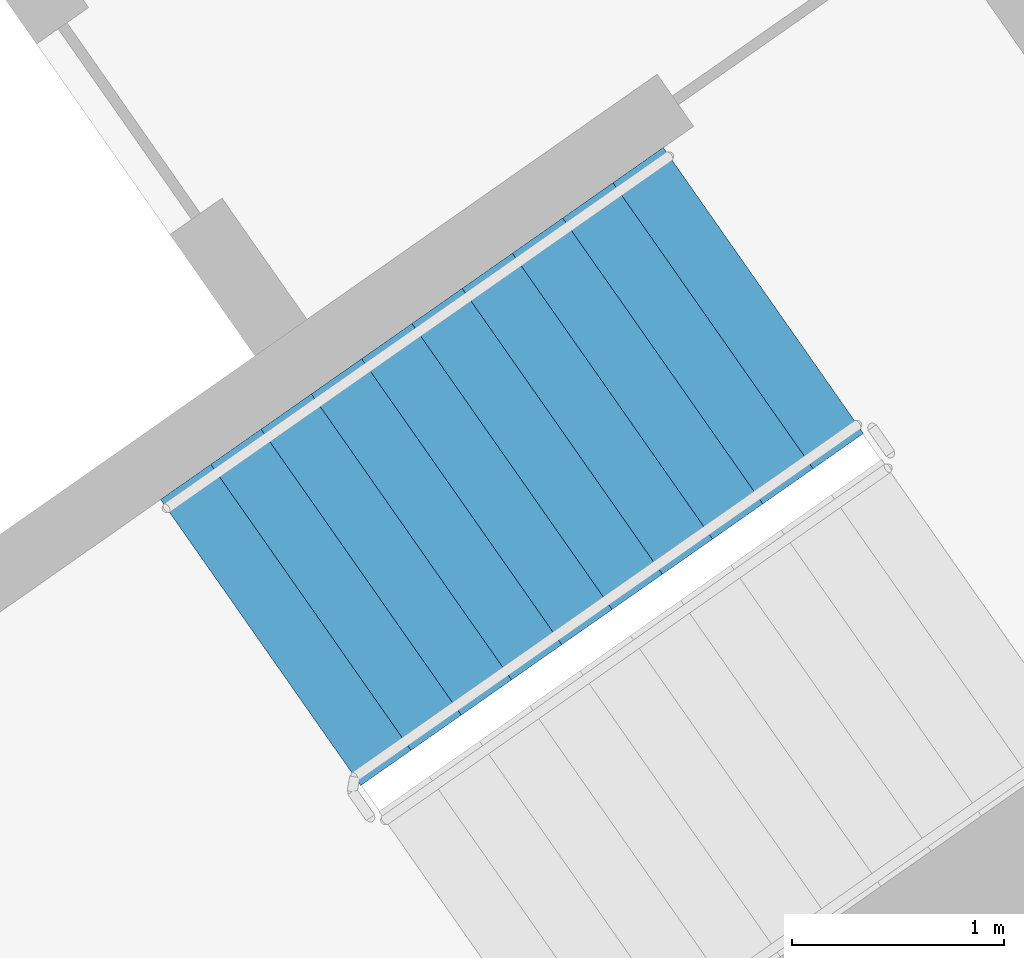
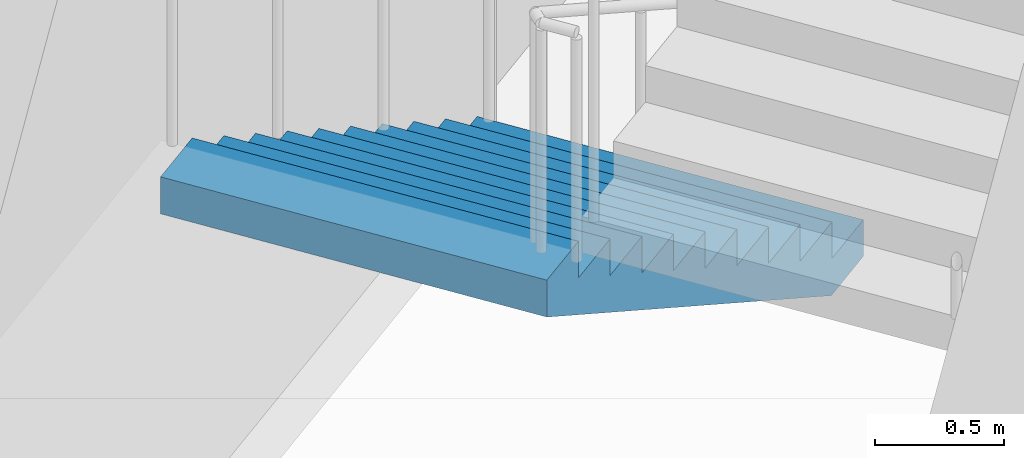
# One storey, part 17 of 30: 1 stair flight, 1 element without a shape of its own.
"""IFC4 building model written with IfcOpenShell, lengths in metres."""

from ifc_helpers import new_model, si_unit, direction, frame, origin, place, context, subcontext, project, spatial, faceted_brep, material, type_object, element, aggregate, save


model = new_model("IFC4")

# Units and contexts
model_context = context("Model", 3, precision=1e-05, world=origin(), true_north=direction((0.0, 1.0)))
body_context = subcontext(model_context, "Body", "Model", "MODEL_VIEW")
ifc_project = project(units=[si_unit("LENGTHUNIT", "METRE"), si_unit("AREAUNIT", "SQUARE_METRE"), si_unit("VOLUMEUNIT", "CUBIC_METRE"), si_unit("PLANEANGLEUNIT", "RADIAN"), si_unit("MASSUNIT", "GRAM", prefix="KILO")], contexts=[model_context])

# Site, building, storey
site_placement = place(None, origin())
site = spatial("IfcSite", under=ifc_project, at=site_placement, CompositionType="ELEMENT")
building_placement = place(site_placement, origin())
building = spatial("IfcBuilding", under=site, at=building_placement, Name="Qamariyya Broadcast Tower", CompositionType="ELEMENT")
storey_placement = place(building_placement, frame((0.0, 0.0, 117.699951171875)))
storey = spatial("IfcBuildingStorey", under=building, at=storey_placement, Name="L26", CompositionType="ELEMENT", Elevation=117.699951171875)

# Stair, stair flight
ifc_material = material(Name="Concrete C50/60", Category="concrete")
stair_type = type_object("IfcStairType", Name="Exit stair 22 risers of 173 mm", PredefinedType="HALF_TURN_STAIR", material=ifc_material)
stair_placement = place(storey_placement, origin())
stair = element("IfcStair", 1, at=stair_placement, inside=storey, type_object=stair_type, Name="L26 Stair E1", PredefinedType="HALF_TURN_STAIR")
stair_flight_type = type_object("IfcStairFlightType", Name="Exit stair flight 11 risers of 173 mm", PredefinedType="STRAIGHT", material=ifc_material)
stair_flight_placement = place(storey_placement, frame((46.036376953125, -55.508056640625, 0.0), z_axis=(0.0, 0.0, 1.0), x_axis=(-0.819152044289, -0.573576436351, 0.0)))
stair_flight = element("IfcStairFlight", 2, at=stair_flight_placement, type_object=stair_flight_type, Name="ST-E1 flight 1", NumberOfRisers=11, NumberOfTreads=10, PredefinedType="STRAIGHT", RiserHeight=0.172727273, TreadLength=0.29, context=body_context, shape_type="Brep", body=[
    faceted_brep([(0.0, 0.824951171875, 0.0), (0.0, 0.824951171875, 0.172607421875), (0.2900390625, 0.824951171875, 0.172607421875), (0.2900390625, 0.824951171875, 0.345458984375), (0.580078125, 0.824951171875, 0.345458984375), (0.580078125, 0.824951171875, 0.51806640625), (0.8701171875, 0.824951171875, 0.51806640625), (0.8701171875, 0.824951171875, 0.69091796875), (1.159912109375, 0.824951171875, 0.69091796875), (1.159912109375, 0.824951171875, 0.863525390625), (1.449951171875, 0.824951171875, 0.863525390625), (1.449951171875, 0.824951171875, 1.036376953125), (1.739990234375, 0.824951171875, 1.036376953125), (1.739990234375, 0.824951171875, 1.208984375), (2.030029296875, 0.824951171875, 1.208984375), (2.030029296875, 0.824951171875, 1.3818359375), (2.320068359375, 0.824951171875, 1.3818359375), (2.320068359375, 0.824951171875, 1.554443359375), (2.610107421875, 0.824951171875, 1.554443359375), (2.610107421875, 0.824951171875, 1.727294921875), (2.89990234375, 0.824951171875, 1.727294921875), (2.89990234375, 0.824951171875, 1.552734375), (0.29296875, 0.824951171875, 0.0), (0.29296875, -0.824951171875, 0.0), (2.89990234375, -0.824951171875, 1.552734375), (2.89990234375, -0.824951171875, 1.727294921875), (2.610107421875, -0.824951171875, 1.727294921875), (2.610107421875, -0.824951171875, 1.554443359375), (2.320068359375, -0.824951171875, 1.554443359375), (2.320068359375, -0.824951171875, 1.3818359375), (2.030029296875, -0.824951171875, 1.3818359375), (2.030029296875, -0.824951171875, 1.208984375), (1.739990234375, -0.824951171875, 1.208984375), (1.739990234375, -0.824951171875, 1.036376953125), (1.449951171875, -0.824951171875, 1.036376953125), (1.449951171875, -0.824951171875, 0.863525390625), (1.159912109375, -0.824951171875, 0.863525390625), (1.159912109375, -0.824951171875, 0.69091796875), (0.8701171875, -0.824951171875, 0.69091796875), (0.8701171875, -0.824951171875, 0.51806640625), (0.580078125, -0.824951171875, 0.51806640625), (0.580078125, -0.824951171875, 0.345458984375), (0.2900390625, -0.824951171875, 0.345458984375), (0.2900390625, -0.824951171875, 0.172607421875), (0.0, -0.824951171875, 0.172607421875), (0.0, -0.824951171875, 0.0), (0.0, 0.10009765625, 0.0), (0.0, 0.086669921875, 0.0), (0.0, 0.0732421875, 0.0), (0.0, 0.06005859375, 0.0), (0.0, 0.046630859375, 0.0), (0.0, 0.033447265625, 0.0), (0.0, 0.02001953125, 0.0), (0.0, 0.006591796875, 0.0), (0.0, -0.006591796875, 0.0), (0.0, -0.02001953125, 0.0), (0.0, -0.033447265625, 0.0), (0.0, -0.046630859375, 0.0), (0.0, -0.06005859375, 0.0), (0.0, -0.0732421875, 0.0), (0.0, -0.086669921875, 0.0), (0.0, -0.10009765625, 0.0), (0.0, -0.10009765625, 0.172607421875), (0.0, -0.086669921875, 0.172607421875), (0.0, -0.0732421875, 0.172607421875), (0.0, -0.06005859375, 0.172607421875), (0.0, -0.046630859375, 0.172607421875), (0.0, -0.033447265625, 0.172607421875), (0.0, -0.02001953125, 0.172607421875), (0.0, -0.006591796875, 0.172607421875), (0.0, 0.006591796875, 0.172607421875), (0.0, 0.02001953125, 0.172607421875), (0.0, 0.033447265625, 0.172607421875), (0.0, 0.046630859375, 0.172607421875), (0.0, 0.06005859375, 0.172607421875), (0.0, 0.0732421875, 0.172607421875), (0.0, 0.086669921875, 0.172607421875), (0.0, 0.10009765625, 0.172607421875), (0.2900390625, -0.10009765625, 0.172607421875), (0.2900390625, -0.086669921875, 0.172607421875), (0.2900390625, -0.0732421875, 0.172607421875), (0.2900390625, -0.06005859375, 0.172607421875), (0.2900390625, -0.046630859375, 0.172607421875), (0.2900390625, -0.033447265625, 0.172607421875), (0.2900390625, -0.02001953125, 0.172607421875), (0.2900390625, -0.006591796875, 0.172607421875), (0.2900390625, 0.006591796875, 0.172607421875), (0.2900390625, 0.02001953125, 0.172607421875), (0.2900390625, 0.033447265625, 0.172607421875), (0.2900390625, 0.046630859375, 0.172607421875), (0.2900390625, 0.06005859375, 0.172607421875), (0.2900390625, 0.0732421875, 0.172607421875), (0.2900390625, 0.086669921875, 0.172607421875), (0.2900390625, 0.10009765625, 0.172607421875), (0.2900390625, -0.10009765625, 0.345458984375), (0.2900390625, -0.086669921875, 0.345458984375), (0.2900390625, -0.0732421875, 0.345458984375), (0.2900390625, -0.06005859375, 0.345458984375), (0.2900390625, -0.046630859375, 0.345458984375), (0.2900390625, -0.033447265625, 0.345458984375), (0.2900390625, -0.02001953125, 0.345458984375), (0.2900390625, -0.006591796875, 0.345458984375), (0.2900390625, 0.006591796875, 0.345458984375), (0.2900390625, 0.02001953125, 0.345458984375), (0.2900390625, 0.033447265625, 0.345458984375), (0.2900390625, 0.046630859375, 0.345458984375), (0.2900390625, 0.06005859375, 0.345458984375), (0.2900390625, 0.0732421875, 0.345458984375), (0.2900390625, 0.086669921875, 0.345458984375), (0.2900390625, 0.10009765625, 0.345458984375), (0.580078125, -0.10009765625, 0.345458984375), (0.580078125, -0.086669921875, 0.345458984375), (0.580078125, -0.0732421875, 0.345458984375), (0.580078125, -0.06005859375, 0.345458984375), (0.580078125, -0.046630859375, 0.345458984375), (0.580078125, -0.033447265625, 0.345458984375), (0.580078125, -0.02001953125, 0.345458984375), (0.580078125, -0.006591796875, 0.345458984375), (0.580078125, 0.006591796875, 0.345458984375), (0.580078125, 0.02001953125, 0.345458984375), (0.580078125, 0.033447265625, 0.345458984375), (0.580078125, 0.046630859375, 0.345458984375), (0.580078125, 0.06005859375, 0.345458984375), (0.580078125, 0.0732421875, 0.345458984375), (0.580078125, 0.086669921875, 0.345458984375), (0.580078125, 0.10009765625, 0.345458984375), (0.580078125, -0.10009765625, 0.51806640625), (0.580078125, -0.086669921875, 0.51806640625), (0.580078125, -0.0732421875, 0.51806640625), (0.580078125, -0.06005859375, 0.51806640625), (0.580078125, -0.046630859375, 0.51806640625), (0.580078125, -0.033447265625, 0.51806640625), (0.580078125, -0.02001953125, 0.51806640625), (0.580078125, -0.006591796875, 0.51806640625), (0.580078125, 0.006591796875, 0.51806640625), (0.580078125, 0.02001953125, 0.51806640625), (0.580078125, 0.033447265625, 0.51806640625), (0.580078125, 0.046630859375, 0.51806640625), (0.580078125, 0.06005859375, 0.51806640625), (0.580078125, 0.0732421875, 0.51806640625), (0.580078125, 0.086669921875, 0.51806640625), (0.580078125, 0.10009765625, 0.51806640625), (0.8701171875, -0.10009765625, 0.51806640625), (0.8701171875, -0.086669921875, 0.51806640625), (0.8701171875, -0.0732421875, 0.51806640625), (0.8701171875, -0.06005859375, 0.51806640625), (0.8701171875, -0.046630859375, 0.51806640625), (0.8701171875, -0.033447265625, 0.51806640625), (0.8701171875, -0.02001953125, 0.51806640625), (0.8701171875, -0.006591796875, 0.51806640625), (0.8701171875, 0.006591796875, 0.51806640625), (0.8701171875, 0.02001953125, 0.51806640625), (0.8701171875, 0.033447265625, 0.51806640625), (0.8701171875, 0.046630859375, 0.51806640625), (0.8701171875, 0.06005859375, 0.51806640625), (0.8701171875, 0.0732421875, 0.51806640625), (0.8701171875, 0.086669921875, 0.51806640625), (0.8701171875, 0.10009765625, 0.51806640625), (0.8701171875, -0.10009765625, 0.69091796875), (0.8701171875, -0.086669921875, 0.69091796875), (0.8701171875, -0.0732421875, 0.69091796875), (0.8701171875, -0.06005859375, 0.69091796875), (0.8701171875, -0.046630859375, 0.69091796875), (0.8701171875, -0.033447265625, 0.69091796875), (0.8701171875, -0.02001953125, 0.69091796875), (0.8701171875, -0.006591796875, 0.69091796875), (0.8701171875, 0.006591796875, 0.69091796875), (0.8701171875, 0.02001953125, 0.69091796875), (0.8701171875, 0.033447265625, 0.69091796875), (0.8701171875, 0.046630859375, 0.69091796875), (0.8701171875, 0.06005859375, 0.69091796875), (0.8701171875, 0.0732421875, 0.69091796875), (0.8701171875, 0.086669921875, 0.69091796875), (0.8701171875, 0.10009765625, 0.69091796875), (1.159912109375, -0.10009765625, 0.69091796875), (1.159912109375, -0.086669921875, 0.69091796875), (1.159912109375, -0.0732421875, 0.69091796875), (1.159912109375, -0.06005859375, 0.69091796875), (1.159912109375, -0.046630859375, 0.69091796875), (1.159912109375, -0.033447265625, 0.69091796875), (1.159912109375, -0.02001953125, 0.69091796875), (1.159912109375, -0.006591796875, 0.69091796875), (1.159912109375, 0.006591796875, 0.69091796875), (1.159912109375, 0.02001953125, 0.69091796875), (1.159912109375, 0.033447265625, 0.69091796875), (1.159912109375, 0.046630859375, 0.69091796875), (1.159912109375, 0.06005859375, 0.69091796875), (1.159912109375, 0.0732421875, 0.69091796875), (1.159912109375, 0.086669921875, 0.69091796875), (1.159912109375, 0.10009765625, 0.69091796875), (1.159912109375, -0.10009765625, 0.863525390625), (1.159912109375, -0.086669921875, 0.863525390625), (1.159912109375, -0.0732421875, 0.863525390625), (1.159912109375, -0.06005859375, 0.863525390625), (1.159912109375, -0.046630859375, 0.863525390625), (1.159912109375, -0.033447265625, 0.863525390625), (1.159912109375, -0.02001953125, 0.863525390625), (1.159912109375, -0.006591796875, 0.863525390625), (1.159912109375, 0.006591796875, 0.863525390625), (1.159912109375, 0.02001953125, 0.863525390625), (1.159912109375, 0.033447265625, 0.863525390625), (1.159912109375, 0.046630859375, 0.863525390625), (1.159912109375, 0.06005859375, 0.863525390625), (1.159912109375, 0.0732421875, 0.863525390625), (1.159912109375, 0.086669921875, 0.863525390625), (1.159912109375, 0.10009765625, 0.863525390625), (1.449951171875, -0.10009765625, 0.863525390625), (1.449951171875, -0.086669921875, 0.863525390625), (1.449951171875, -0.0732421875, 0.863525390625), (1.449951171875, -0.06005859375, 0.863525390625), (1.449951171875, -0.046630859375, 0.863525390625), (1.449951171875, -0.033447265625, 0.863525390625), (1.449951171875, -0.02001953125, 0.863525390625), (1.449951171875, -0.006591796875, 0.863525390625), (1.449951171875, 0.006591796875, 0.863525390625), (1.449951171875, 0.02001953125, 0.863525390625), (1.449951171875, 0.033447265625, 0.863525390625), (1.449951171875, 0.046630859375, 0.863525390625), (1.449951171875, 0.06005859375, 0.863525390625), (1.449951171875, 0.0732421875, 0.863525390625), (1.449951171875, 0.086669921875, 0.863525390625), (1.449951171875, 0.10009765625, 0.863525390625), (1.449951171875, -0.10009765625, 1.036376953125), (1.449951171875, -0.086669921875, 1.036376953125), (1.449951171875, -0.0732421875, 1.036376953125), (1.449951171875, -0.06005859375, 1.036376953125), (1.449951171875, -0.046630859375, 1.036376953125), (1.449951171875, -0.033447265625, 1.036376953125), (1.449951171875, -0.02001953125, 1.036376953125), (1.449951171875, -0.006591796875, 1.036376953125), (1.449951171875, 0.006591796875, 1.036376953125), (1.449951171875, 0.02001953125, 1.036376953125), (1.449951171875, 0.033447265625, 1.036376953125), (1.449951171875, 0.046630859375, 1.036376953125), (1.449951171875, 0.06005859375, 1.036376953125), (1.449951171875, 0.0732421875, 1.036376953125), (1.449951171875, 0.086669921875, 1.036376953125), (1.449951171875, 0.10009765625, 1.036376953125), (1.739990234375, -0.10009765625, 1.036376953125), (1.739990234375, -0.086669921875, 1.036376953125), (1.739990234375, -0.0732421875, 1.036376953125), (1.739990234375, -0.06005859375, 1.036376953125), (1.739990234375, -0.046630859375, 1.036376953125), (1.739990234375, -0.033447265625, 1.036376953125), (1.739990234375, -0.02001953125, 1.036376953125), (1.739990234375, -0.006591796875, 1.036376953125), (1.739990234375, 0.006591796875, 1.036376953125), (1.739990234375, 0.02001953125, 1.036376953125), (1.739990234375, 0.033447265625, 1.036376953125), (1.739990234375, 0.046630859375, 1.036376953125), (1.739990234375, 0.06005859375, 1.036376953125), (1.739990234375, 0.0732421875, 1.036376953125), (1.739990234375, 0.086669921875, 1.036376953125), (1.739990234375, 0.10009765625, 1.036376953125), (1.739990234375, -0.10009765625, 1.208984375), (1.739990234375, -0.086669921875, 1.208984375), (1.739990234375, -0.0732421875, 1.208984375), (1.739990234375, -0.06005859375, 1.208984375), (1.739990234375, -0.046630859375, 1.208984375), (1.739990234375, -0.033447265625, 1.208984375), (1.739990234375, -0.02001953125, 1.208984375), (1.739990234375, -0.006591796875, 1.208984375), (1.739990234375, 0.006591796875, 1.208984375), (1.739990234375, 0.02001953125, 1.208984375), (1.739990234375, 0.033447265625, 1.208984375), (1.739990234375, 0.046630859375, 1.208984375), (1.739990234375, 0.06005859375, 1.208984375), (1.739990234375, 0.0732421875, 1.208984375), (1.739990234375, 0.086669921875, 1.208984375), (1.739990234375, 0.10009765625, 1.208984375), (2.030029296875, -0.10009765625, 1.208984375), (2.030029296875, -0.086669921875, 1.208984375), (2.030029296875, -0.0732421875, 1.208984375), (2.030029296875, -0.06005859375, 1.208984375), (2.030029296875, -0.046630859375, 1.208984375), (2.030029296875, -0.033447265625, 1.208984375), (2.030029296875, -0.02001953125, 1.208984375), (2.030029296875, -0.006591796875, 1.208984375), (2.030029296875, 0.006591796875, 1.208984375), (2.030029296875, 0.02001953125, 1.208984375), (2.030029296875, 0.033447265625, 1.208984375), (2.030029296875, 0.046630859375, 1.208984375), (2.030029296875, 0.06005859375, 1.208984375), (2.030029296875, 0.0732421875, 1.208984375), (2.030029296875, 0.086669921875, 1.208984375), (2.030029296875, 0.10009765625, 1.208984375), (2.030029296875, -0.10009765625, 1.3818359375), (2.030029296875, -0.086669921875, 1.3818359375), (2.030029296875, -0.0732421875, 1.3818359375), (2.030029296875, -0.06005859375, 1.3818359375), (2.030029296875, -0.046630859375, 1.3818359375), (2.030029296875, -0.033447265625, 1.3818359375), (2.030029296875, -0.02001953125, 1.3818359375), (2.030029296875, -0.006591796875, 1.3818359375), (2.030029296875, 0.006591796875, 1.3818359375), (2.030029296875, 0.02001953125, 1.3818359375), (2.030029296875, 0.033447265625, 1.3818359375), (2.030029296875, 0.046630859375, 1.3818359375), (2.030029296875, 0.06005859375, 1.3818359375), (2.030029296875, 0.0732421875, 1.3818359375), (2.030029296875, 0.086669921875, 1.3818359375), (2.030029296875, 0.10009765625, 1.3818359375), (2.320068359375, -0.10009765625, 1.3818359375), (2.320068359375, -0.086669921875, 1.3818359375), (2.320068359375, -0.0732421875, 1.3818359375), (2.320068359375, -0.06005859375, 1.3818359375), (2.320068359375, -0.046630859375, 1.3818359375), (2.320068359375, -0.033447265625, 1.3818359375), (2.320068359375, -0.02001953125, 1.3818359375), (2.320068359375, -0.006591796875, 1.3818359375), (2.320068359375, 0.006591796875, 1.3818359375), (2.320068359375, 0.02001953125, 1.3818359375), (2.320068359375, 0.033447265625, 1.3818359375), (2.320068359375, 0.046630859375, 1.3818359375), (2.320068359375, 0.06005859375, 1.3818359375), (2.320068359375, 0.0732421875, 1.3818359375), (2.320068359375, 0.086669921875, 1.3818359375), (2.320068359375, 0.10009765625, 1.3818359375), (2.320068359375, -0.10009765625, 1.554443359375), (2.320068359375, -0.086669921875, 1.554443359375), (2.320068359375, -0.0732421875, 1.554443359375), (2.320068359375, -0.06005859375, 1.554443359375), (2.320068359375, -0.046630859375, 1.554443359375), (2.320068359375, -0.033447265625, 1.554443359375), (2.320068359375, -0.02001953125, 1.554443359375), (2.320068359375, -0.006591796875, 1.554443359375), (2.320068359375, 0.006591796875, 1.554443359375), (2.320068359375, 0.02001953125, 1.554443359375), (2.320068359375, 0.033447265625, 1.554443359375), (2.320068359375, 0.046630859375, 1.554443359375), (2.320068359375, 0.06005859375, 1.554443359375), (2.320068359375, 0.0732421875, 1.554443359375), (2.320068359375, 0.086669921875, 1.554443359375), (2.320068359375, 0.10009765625, 1.554443359375), (2.610107421875, -0.10009765625, 1.554443359375), (2.610107421875, -0.086669921875, 1.554443359375), (2.610107421875, -0.0732421875, 1.554443359375), (2.610107421875, -0.06005859375, 1.554443359375), (2.610107421875, -0.046630859375, 1.554443359375), (2.610107421875, -0.033447265625, 1.554443359375), (2.610107421875, -0.02001953125, 1.554443359375), (2.610107421875, -0.006591796875, 1.554443359375), (2.610107421875, 0.006591796875, 1.554443359375), (2.610107421875, 0.02001953125, 1.554443359375), (2.610107421875, 0.033447265625, 1.554443359375), (2.610107421875, 0.046630859375, 1.554443359375), (2.610107421875, 0.06005859375, 1.554443359375), (2.610107421875, 0.0732421875, 1.554443359375), (2.610107421875, 0.086669921875, 1.554443359375), (2.610107421875, 0.10009765625, 1.554443359375), (2.610107421875, -0.10009765625, 1.727294921875), (2.610107421875, -0.086669921875, 1.727294921875), (2.610107421875, -0.0732421875, 1.727294921875), (2.610107421875, -0.06005859375, 1.727294921875), (2.610107421875, -0.046630859375, 1.727294921875), (2.610107421875, -0.033447265625, 1.727294921875), (2.610107421875, -0.02001953125, 1.727294921875), (2.610107421875, -0.006591796875, 1.727294921875), (2.610107421875, 0.006591796875, 1.727294921875), (2.610107421875, 0.02001953125, 1.727294921875), (2.610107421875, 0.033447265625, 1.727294921875), (2.610107421875, 0.046630859375, 1.727294921875), (2.610107421875, 0.06005859375, 1.727294921875), (2.610107421875, 0.0732421875, 1.727294921875), (2.610107421875, 0.086669921875, 1.727294921875), (2.610107421875, 0.10009765625, 1.727294921875), (2.89990234375, -0.10009765625, 1.727294921875), (2.89990234375, -0.086669921875, 1.727294921875), (2.89990234375, -0.0732421875, 1.727294921875), (2.89990234375, -0.06005859375, 1.727294921875), (2.89990234375, -0.046630859375, 1.727294921875), (2.89990234375, -0.033447265625, 1.727294921875), (2.89990234375, -0.02001953125, 1.727294921875), (2.89990234375, -0.006591796875, 1.727294921875), (2.89990234375, 0.006591796875, 1.727294921875), (2.89990234375, 0.02001953125, 1.727294921875), (2.89990234375, 0.033447265625, 1.727294921875), (2.89990234375, 0.046630859375, 1.727294921875), (2.89990234375, 0.06005859375, 1.727294921875), (2.89990234375, 0.0732421875, 1.727294921875), (2.89990234375, 0.086669921875, 1.727294921875), (2.89990234375, 0.10009765625, 1.727294921875), (2.89990234375, -0.10009765625, 1.552734375), (2.89990234375, -0.086669921875, 1.552734375), (2.89990234375, -0.0732421875, 1.552734375), (2.89990234375, -0.06005859375, 1.552734375), (2.89990234375, -0.046630859375, 1.552734375), (2.89990234375, -0.033447265625, 1.552734375), (2.89990234375, -0.02001953125, 1.552734375), (2.89990234375, -0.006591796875, 1.552734375), (2.89990234375, 0.006591796875, 1.552734375), (2.89990234375, 0.02001953125, 1.552734375), (2.89990234375, 0.033447265625, 1.552734375), (2.89990234375, 0.046630859375, 1.552734375), (2.89990234375, 0.06005859375, 1.552734375), (2.89990234375, 0.0732421875, 1.552734375), (2.89990234375, 0.086669921875, 1.552734375), (2.89990234375, 0.10009765625, 1.552734375), (0.29296875, -0.10009765625, 0.0), (0.29296875, -0.086669921875, 0.0), (0.29296875, -0.0732421875, 0.0), (0.29296875, -0.06005859375, 0.0), (0.29296875, -0.046630859375, 0.0), (0.29296875, -0.033447265625, 0.0), (0.29296875, -0.02001953125, 0.0), (0.29296875, -0.006591796875, 0.0), (0.29296875, 0.006591796875, 0.0), (0.29296875, 0.02001953125, 0.0), (0.29296875, 0.033447265625, 0.0), (0.29296875, 0.046630859375, 0.0), (0.29296875, 0.06005859375, 0.0), (0.29296875, 0.0732421875, 0.0), (0.29296875, 0.086669921875, 0.0), (0.29296875, 0.10009765625, 0.0)], [[[0, 1, 2, 3, 4, 5, 6, 7, 8, 9, 10, 11, 12, 13, 14, 15, 16, 17, 18, 19, 20, 21, 22]], [[23, 24, 25, 26, 27, 28, 29, 30, 31, 32, 33, 34, 35, 36, 37, 38, 39, 40, 41, 42, 43, 44, 45]], [[0, 46, 47, 48, 49, 50, 51, 52, 53, 54, 55, 56, 57, 58, 59, 60, 61, 45, 44, 62, 63, 64, 65, 66, 67, 68, 69, 70, 71, 72, 73, 74, 75, 76, 77, 1]], [[1, 77, 76, 75, 74, 73, 72, 71, 70, 69, 68, 67, 66, 65, 64, 63, 62, 44, 43, 78, 79, 80, 81, 82, 83, 84, 85, 86, 87, 88, 89, 90, 91, 92, 93, 2]], [[2, 93, 92, 91, 90, 89, 88, 87, 86, 85, 84, 83, 82, 81, 80, 79, 78, 43, 42, 94, 95, 96, 97, 98, 99, 100, 101, 102, 103, 104, 105, 106, 107, 108, 109, 3]], [[3, 109, 108, 107, 106, 105, 104, 103, 102, 101, 100, 99, 98, 97, 96, 95, 94, 42, 41, 110, 111, 112, 113, 114, 115, 116, 117, 118, 119, 120, 121, 122, 123, 124, 125, 4]], [[4, 125, 124, 123, 122, 121, 120, 119, 118, 117, 116, 115, 114, 113, 112, 111, 110, 41, 40, 126, 127, 128, 129, 130, 131, 132, 133, 134, 135, 136, 137, 138, 139, 140, 141, 5]], [[5, 141, 140, 139, 138, 137, 136, 135, 134, 133, 132, 131, 130, 129, 128, 127, 126, 40, 39, 142, 143, 144, 145, 146, 147, 148, 149, 150, 151, 152, 153, 154, 155, 156, 157, 6]], [[6, 157, 156, 155, 154, 153, 152, 151, 150, 149, 148, 147, 146, 145, 144, 143, 142, 39, 38, 158, 159, 160, 161, 162, 163, 164, 165, 166, 167, 168, 169, 170, 171, 172, 173, 7]], [[7, 173, 172, 171, 170, 169, 168, 167, 166, 165, 164, 163, 162, 161, 160, 159, 158, 38, 37, 174, 175, 176, 177, 178, 179, 180, 181, 182, 183, 184, 185, 186, 187, 188, 189, 8]], [[8, 189, 188, 187, 186, 185, 184, 183, 182, 181, 180, 179, 178, 177, 176, 175, 174, 37, 36, 190, 191, 192, 193, 194, 195, 196, 197, 198, 199, 200, 201, 202, 203, 204, 205, 9]], [[9, 205, 204, 203, 202, 201, 200, 199, 198, 197, 196, 195, 194, 193, 192, 191, 190, 36, 35, 206, 207, 208, 209, 210, 211, 212, 213, 214, 215, 216, 217, 218, 219, 220, 221, 10]], [[10, 221, 220, 219, 218, 217, 216, 215, 214, 213, 212, 211, 210, 209, 208, 207, 206, 35, 34, 222, 223, 224, 225, 226, 227, 228, 229, 230, 231, 232, 233, 234, 235, 236, 237, 11]], [[11, 237, 236, 235, 234, 233, 232, 231, 230, 229, 228, 227, 226, 225, 224, 223, 222, 34, 33, 238, 239, 240, 241, 242, 243, 244, 245, 246, 247, 248, 249, 250, 251, 252, 253, 12]], [[12, 253, 252, 251, 250, 249, 248, 247, 246, 245, 244, 243, 242, 241, 240, 239, 238, 33, 32, 254, 255, 256, 257, 258, 259, 260, 261, 262, 263, 264, 265, 266, 267, 268, 269, 13]], [[13, 269, 268, 267, 266, 265, 264, 263, 262, 261, 260, 259, 258, 257, 256, 255, 254, 32, 31, 270, 271, 272, 273, 274, 275, 276, 277, 278, 279, 280, 281, 282, 283, 284, 285, 14]], [[14, 285, 284, 283, 282, 281, 280, 279, 278, 277, 276, 275, 274, 273, 272, 271, 270, 31, 30, 286, 287, 288, 289, 290, 291, 292, 293, 294, 295, 296, 297, 298, 299, 300, 301, 15]], [[15, 301, 300, 299, 298, 297, 296, 295, 294, 293, 292, 291, 290, 289, 288, 287, 286, 30, 29, 302, 303, 304, 305, 306, 307, 308, 309, 310, 311, 312, 313, 314, 315, 316, 317, 16]], [[16, 317, 316, 315, 314, 313, 312, 311, 310, 309, 308, 307, 306, 305, 304, 303, 302, 29, 28, 318, 319, 320, 321, 322, 323, 324, 325, 326, 327, 328, 329, 330, 331, 332, 333, 17]], [[17, 333, 332, 331, 330, 329, 328, 327, 326, 325, 324, 323, 322, 321, 320, 319, 318, 28, 27, 334, 335, 336, 337, 338, 339, 340, 341, 342, 343, 344, 345, 346, 347, 348, 349, 18]], [[18, 349, 348, 347, 346, 345, 344, 343, 342, 341, 340, 339, 338, 337, 336, 335, 334, 27, 26, 350, 351, 352, 353, 354, 355, 356, 357, 358, 359, 360, 361, 362, 363, 364, 365, 19]], [[19, 365, 364, 363, 362, 361, 360, 359, 358, 357, 356, 355, 354, 353, 352, 351, 350, 26, 25, 366, 367, 368, 369, 370, 371, 372, 373, 374, 375, 376, 377, 378, 379, 380, 381, 20]], [[20, 381, 380, 379, 378, 377, 376, 375, 374, 373, 372, 371, 370, 369, 368, 367, 366, 25, 24, 382, 383, 384, 385, 386, 387, 388, 389, 390, 391, 392, 393, 394, 395, 396, 397, 21]], [[21, 397, 396, 395, 394, 393, 392, 391, 390, 389, 388, 387, 386, 385, 384, 383, 382, 24, 23, 398, 399, 400, 401, 402, 403, 404, 405, 406, 407, 408, 409, 410, 411, 412, 413, 22]], [[22, 413, 412, 411, 410, 409, 408, 407, 406, 405, 404, 403, 402, 401, 400, 399, 398, 23, 45, 61, 60, 59, 58, 57, 56, 55, 54, 53, 52, 51, 50, 49, 48, 47, 46, 0]]]),
])
aggregate(stair, [stair_flight])

save(model, "model.ifc")
